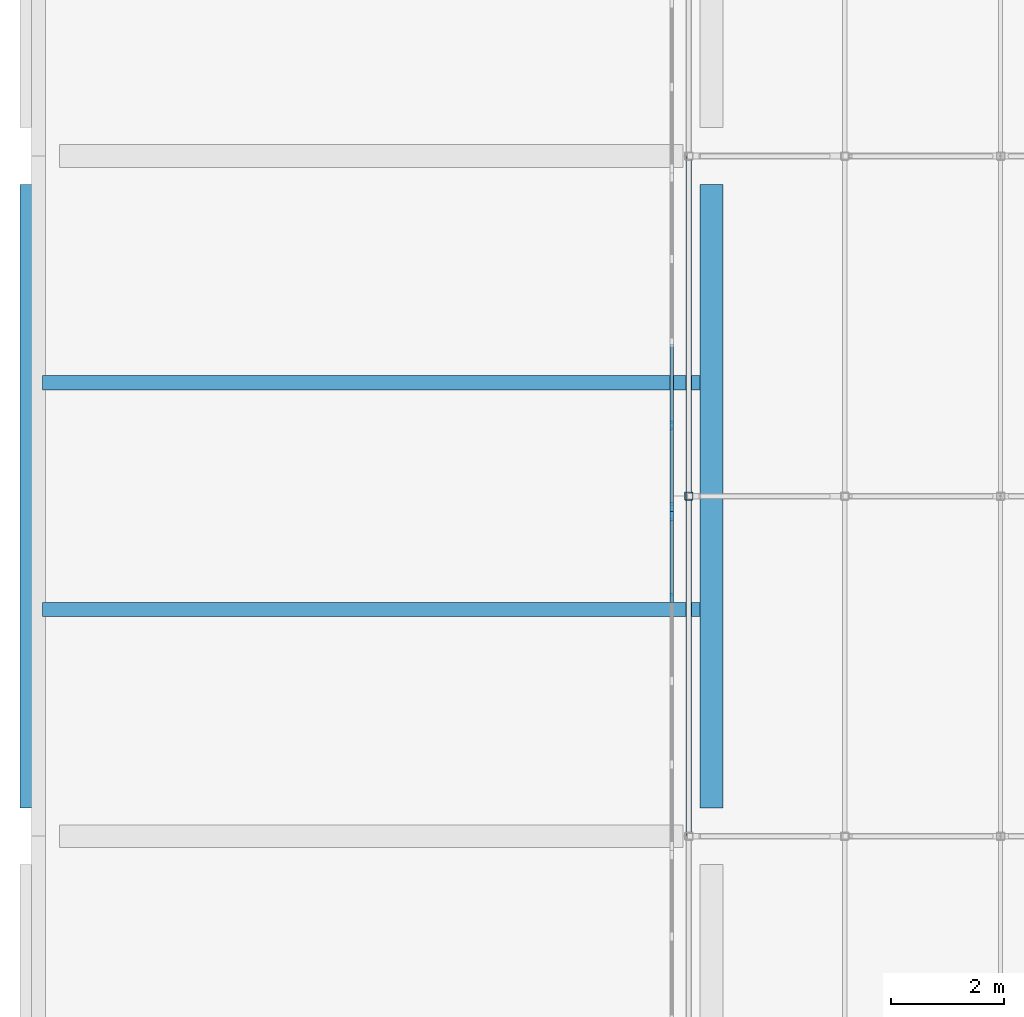
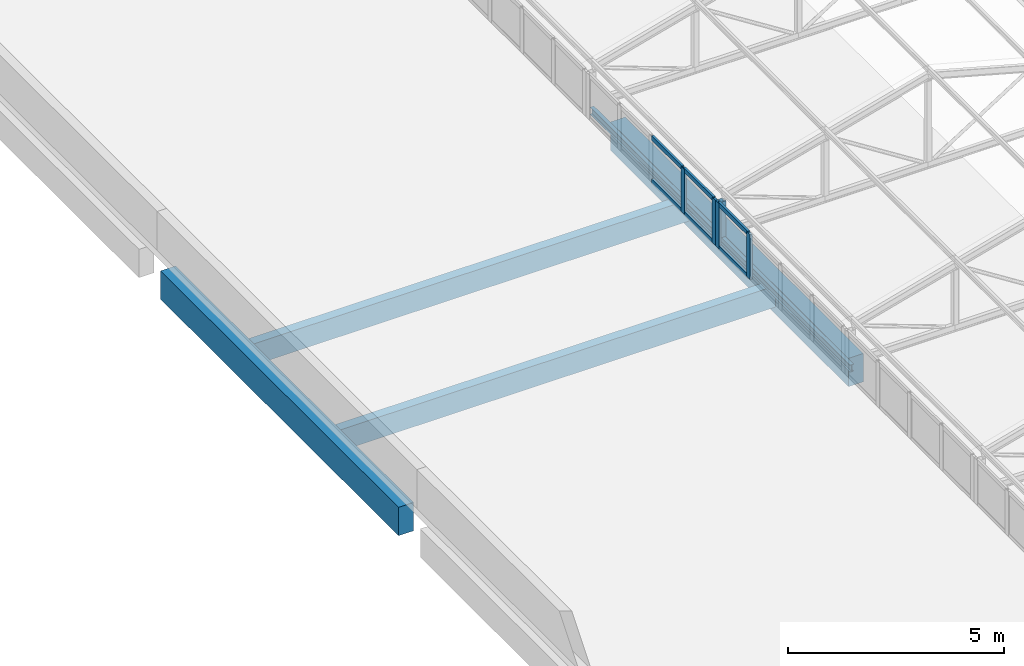
# One storey, part 51 of 94: 11 members, 5 beams, 2 elements without a shape of their own.
"""IFC4 building model written with IfcOpenShell, lengths in metres."""

from ifc_helpers import new_model, si_unit, direction, frame, origin, origin_2d, place, context, subcontext, project, spatial, rectangle, hollow_rectangle, i_section, extrude, material, layer, layer_set, material_profile, profile_set, type_object, element, aggregate, save


model = new_model("IFC4")

# Units and contexts
model_context = context("Model", 3, precision=1e-05, world=origin(), true_north=direction((0.0, 1.0)))
body_context = subcontext(model_context, "Body", "Model", "MODEL_VIEW")
ifc_project = project(units=[si_unit("LENGTHUNIT", "METRE"), si_unit("AREAUNIT", "SQUARE_METRE"), si_unit("VOLUMEUNIT", "CUBIC_METRE"), si_unit("PLANEANGLEUNIT", "RADIAN"), si_unit("MASSUNIT", "GRAM", prefix="KILO")], contexts=[model_context])

# Site, building, storey
site_placement = place(None, origin())
site = spatial("IfcSite", under=ifc_project, at=site_placement, CompositionType="ELEMENT")
building_placement = place(site_placement, origin())
building = spatial("IfcBuilding", under=site, at=building_placement, Name="Lilac Gate Convention Centre", CompositionType="ELEMENT")
storey_placement = place(building_placement, frame((0.0, 0.0, 21.0)))
storey = spatial("IfcBuildingStorey", under=building, at=storey_placement, Name="L04", CompositionType="ELEMENT", Elevation=21.0)

# Curtain wall, members
ifc_material_1 = material(Name="Aluminium framed double glazing", Category="aluminium")
ifc_layer = layer(ifc_material_1, 0.199951171875)
ifc_layer_set = layer_set([ifc_layer], Name="Aluminium framed double glazing")
curtain_wall_type = type_object("IfcCurtainWallType", Name="Unitised curtain wall 1500", PredefinedType="NOTDEFINED", material=ifc_layer_set)
curtain_wall_1_placement = place(storey_placement, origin())
curtain_wall_1 = element("IfcCurtainWall", 1, at=curtain_wall_1_placement, inside=storey, type_object=curtain_wall_type, Name="Lantern clerestory W 27", PredefinedType="NOTDEFINED")
ifc_material_2 = material(Name="Aluminium alloy 6063", Category="aluminium")
ifc_material_profile_1 = material_profile(ifc_material_2, rectangle(XDim=0.06005859375, YDim=0.159912109375, at=origin_2d()), Name="Curtain wall mullion 60 x 160")
ifc_profile_set_1 = profile_set([ifc_material_profile_1], Name="Aluminium alloy 6063")
member_type_1 = type_object("IfcMemberType", Name="Curtain wall mullion 60 x 160", PredefinedType="MULLION", material=ifc_profile_set_1)
member_1_placement = place(storey_placement, frame((17.300048828125, 190.206298828125, 0.0), z_axis=(0.0, 0.0, 1.0), x_axis=(-1.0, 0.0, 0.0)))
member_1 = element("IfcMember", 2, at=member_1_placement, type_object=member_type_1, Name="CW mullion 4", PredefinedType="MULLION", context=body_context, shape_type="SweptSolid", body=[
    extrude(rectangle(XDim=0.06005859375, YDim=0.159912109375, at=origin_2d()), origin(), (0.0, 0.0, 1.0), 1.272216796875),
])
member_2_placement = place(storey_placement, frame((17.300048828125, 191.64501953125, 0.0), z_axis=(0.0, 0.0, 1.0), x_axis=(-1.0, 0.0, 0.0)))
member_2 = element("IfcMember", 3, at=member_2_placement, type_object=member_type_1, Name="CW mullion 5", PredefinedType="MULLION", context=body_context, shape_type="SweptSolid", body=[
    extrude(rectangle(XDim=0.06005859375, YDim=0.159912109375, at=origin_2d()), origin(), (0.0, 0.0, 1.0), 1.272216796875),
])

curtain_wall_2_placement = place(storey_placement, origin())
curtain_wall_2 = element("IfcCurtainWall", 4, at=curtain_wall_2_placement, inside=storey, type_object=curtain_wall_type, Name="Lantern clerestory W 28", PredefinedType="NOTDEFINED")
member_3_placement = place(storey_placement, frame((17.300048828125, 191.804931640625, 0.0), z_axis=(0.0, 0.0, 1.0), x_axis=(-1.0, 0.0, 0.0)))
member_3 = element("IfcMember", 5, at=member_3_placement, type_object=member_type_1, Name="CW mullion 1", PredefinedType="MULLION", context=body_context, shape_type="SweptSolid", body=[
    extrude(rectangle(XDim=0.06005859375, YDim=0.159912109375, at=origin_2d()), origin(), (0.0, 0.0, 1.0), 1.272216796875),
])
member_4_placement = place(storey_placement, frame((17.300048828125, 193.24365234375, 0.0), z_axis=(0.0, 0.0, 1.0), x_axis=(-1.0, 0.0, 0.0)))
member_4 = element("IfcMember", 6, at=member_4_placement, type_object=member_type_1, Name="CW mullion 2", PredefinedType="MULLION", context=body_context, shape_type="SweptSolid", body=[
    extrude(rectangle(XDim=0.06005859375, YDim=0.159912109375, at=origin_2d()), origin(), (0.0, 0.0, 1.0), 1.272216796875),
])

# Member
ifc_material_profile_2 = material_profile(ifc_material_2, rectangle(XDim=0.06005859375, YDim=0.1201171875, at=origin_2d()), Name="Curtain wall transom 60 x 120")
ifc_profile_set_2 = profile_set([ifc_material_profile_2], Name="Aluminium alloy 6063")
member_type_2 = type_object("IfcMemberType", Name="Curtain wall transom 60 x 120", PredefinedType="USERDEFINED", material=ifc_profile_set_2)
member_5_placement = place(storey_placement, frame((17.300048828125, 190.236328125, 0.030029296875), z_axis=(0.0, 1.0, 0.0), x_axis=(-1.0, 0.0, 0.0)))
member_5 = element("IfcMember", 7, at=member_5_placement, type_object=member_type_2, Name="CW transom 4.1", ObjectType="TRANSOM", PredefinedType="USERDEFINED", context=body_context, shape_type="SweptSolid", body=[
    extrude(rectangle(XDim=0.06005859375, YDim=0.1201171875, at=origin_2d()), origin(), (0.0, 0.0, 1.0), 1.378662109375),
])

member_6_placement = place(storey_placement, frame((17.300048828125, 190.236328125, 1.2421875), z_axis=(0.0, 1.0, 0.0), x_axis=(-1.0, 0.0, 0.0)))
member_6 = element("IfcMember", 8, at=member_6_placement, type_object=member_type_2, Name="CW transom 4.2", ObjectType="TRANSOM", PredefinedType="USERDEFINED", context=body_context, shape_type="SweptSolid", body=[
    extrude(rectangle(XDim=0.06005859375, YDim=0.1201171875, at=origin_2d()), origin(), (0.0, 0.0, 1.0), 1.378662109375),
])

aggregate(curtain_wall_1, [member_1, member_2, member_5, member_6])

member_7_placement = place(storey_placement, frame((17.300048828125, 191.8349609375, 0.030029296875), z_axis=(0.0, 1.0, 0.0), x_axis=(-1.0, 0.0, 0.0)))
member_7 = element("IfcMember", 9, at=member_7_placement, type_object=member_type_2, Name="CW transom 1.1", ObjectType="TRANSOM", PredefinedType="USERDEFINED", context=body_context, shape_type="SweptSolid", body=[
    extrude(rectangle(XDim=0.06005859375, YDim=0.1201171875, at=origin_2d()), origin(), (0.0, 0.0, 1.0), 1.378662109375),
])

member_8_placement = place(storey_placement, frame((17.300048828125, 191.8349609375, 1.2421875), z_axis=(0.0, 1.0, 0.0), x_axis=(-1.0, 0.0, 0.0)))
member_8 = element("IfcMember", 10, at=member_8_placement, type_object=member_type_2, Name="CW transom 1.2", ObjectType="TRANSOM", PredefinedType="USERDEFINED", context=body_context, shape_type="SweptSolid", body=[
    extrude(rectangle(XDim=0.06005859375, YDim=0.1201171875, at=origin_2d()), origin(), (0.0, 0.0, 1.0), 1.378662109375),
])

member_9_placement = place(storey_placement, frame((17.300048828125, 193.273681640625, 0.030029296875), z_axis=(0.0, 1.0, 0.0), x_axis=(-1.0, 0.0, 0.0)))
member_9 = element("IfcMember", 11, at=member_9_placement, type_object=member_type_2, Name="CW transom 2.1", ObjectType="TRANSOM", PredefinedType="USERDEFINED", context=body_context, shape_type="SweptSolid", body=[
    extrude(rectangle(XDim=0.06005859375, YDim=0.1201171875, at=origin_2d()), origin(), (0.0, 0.0, 1.0), 1.40869140625),
])

member_10_placement = place(storey_placement, frame((17.300048828125, 193.273681640625, 1.2421875), z_axis=(0.0, 1.0, 0.0), x_axis=(-1.0, 0.0, 0.0)))
member_10 = element("IfcMember", 12, at=member_10_placement, type_object=member_type_2, Name="CW transom 2.2", ObjectType="TRANSOM", PredefinedType="USERDEFINED", context=body_context, shape_type="SweptSolid", body=[
    extrude(rectangle(XDim=0.06005859375, YDim=0.1201171875, at=origin_2d()), origin(), (0.0, 0.0, 1.0), 1.40869140625),
])

aggregate(curtain_wall_2, [member_3, member_4, member_7, member_8, member_9, member_10])

ifc_material_3 = material(Name="Steel Q355B", Category="steel")
ifc_material_profile_3 = material_profile(ifc_material_3, hollow_rectangle(XDim=0.139892578125, YDim=0.139892578125, WallThickness=0.0048828125, InnerFilletRadius=0.0048828125, OuterFilletRadius=0.010009765625, at=origin_2d()), Name="SHS140x140x5")
ifc_profile_set_3 = profile_set([ifc_material_profile_3], Name="Steel Q355B")
member_type_3 = type_object("IfcMemberType", Name="Lantern post SHS140x140x5", PredefinedType="STRUT", material=ifc_profile_set_3)
member_11_placement = place(storey_placement, frame((17.60009765625, 192.0, 0.0), z_axis=(0.0, 0.0, 1.0), x_axis=(1.0, 0.0, 0.0)))
element("IfcMember", 13, at=member_11_placement, inside=storey, type_object=member_type_3, Name="LV1 lantern truss 28 post 1", PredefinedType="STRUT", context=body_context, shape_type="SweptSolid", body=[
    extrude(hollow_rectangle(XDim=0.139892578125, YDim=0.139892578125, WallThickness=0.0048828125, InnerFilletRadius=0.0048828125, OuterFilletRadius=0.010009765625, at=origin_2d()), origin(), (0.0, 0.0, 1.0), 1.001953125),
])

# Beams
ifc_material_profile_4 = material_profile(ifc_material_3, i_section(OverallWidth=0.10009765625, OverallDepth=0.199951171875, WebThickness=0.005615234375, FlangeThickness=0.008056640625, FilletRadius=0.008056640625, at=origin_2d()), Name="HN200x100x5.5x8")
ifc_profile_set_4 = profile_set([ifc_material_profile_4], Name="Steel Q355B")
beam_type_1 = type_object("IfcBeamType", Name="Steel edge beam HN200x100x5.5x8", PredefinedType="BEAM", material=ifc_profile_set_4)
beam_placement = place(storey_placement, frame((17.60009765625, 186.0, -0.10009765625), z_axis=(0.0, 1.0, 0.0), x_axis=(-1.0, 0.0, 0.0)))
element("IfcBeam", 14, at=beam_placement, inside=storey, type_object=beam_type_1, Name="LE2 lantern west edge beam 14", PredefinedType="BEAM", context=body_context, shape_type="SweptSolid", body=[
    extrude(i_section(OverallWidth=0.10009765625, OverallDepth=0.199951171875, WebThickness=0.005615234375, FlangeThickness=0.008056640625, FilletRadius=0.008056640625, at=origin_2d()), origin(), (0.0, 0.0, 1.0), 12.0),
])
ifc_material_4 = material(Name="Concrete C40", Category="concrete")
ifc_material_profile_5 = material_profile(ifc_material_4, rectangle(XDim=0.39990234375, YDim=0.800048828125, at=origin_2d()), Name="RC 400x800")
ifc_profile_set_5 = profile_set([ifc_material_profile_5], Name="Concrete C40")
beam_type_2 = type_object("IfcBeamType", Name="Tower primary beam 400x800 C40", PredefinedType="BEAM", material=ifc_profile_set_5)
for number, where, z_axis, x_axis, name in (
    (15, (6.0, 186.5, -0.60009765625), (0.0, 1.0, 0.0), (-1.0, 0.0, 0.0), "RB3 L04 1/P-1/Q"),
    (16, (18.0, 186.5, -0.60009765625), (0.0, 1.0, 0.0), (-1.0, 0.0, 0.0), "RB3 L04 2/P-2/Q"),
):
    element("IfcBeam", number, at=place(storey_placement, frame(where, z_axis=z_axis, x_axis=x_axis)), inside=storey, type_object=beam_type_2, Name=name, PredefinedType="BEAM", context=body_context, shape_type="SweptSolid", body=[
        extrude(rectangle(XDim=0.39990234375, YDim=0.800048828125, at=origin_2d()), origin(), (0.0, 0.0, 1.0), 11.0),
    ])
ifc_material_profile_6 = material_profile(ifc_material_4, rectangle(XDim=0.25, YDim=0.60009765625, at=origin_2d()), Name="RC 250x600")
ifc_profile_set_6 = profile_set([ifc_material_profile_6], Name="Concrete C40")
beam_type_3 = type_object("IfcBeamType", Name="Tower secondary beam 250x600 C40", PredefinedType="BEAM", material=ifc_profile_set_6)
for number, where, z_axis, x_axis, name in (
    (17, (6.199951171875, 190.0, -0.5), (1.0, 0.0, 0.0), (0.0, 1.0, 0.0), "RB4 L04 bay 1/P"),
    (18, (6.199951171875, 194.0, -0.5), (1.0, 0.0, 0.0), (0.0, 1.0, 0.0), "RB4 L04 bay 1/P"),
):
    element("IfcBeam", number, at=place(storey_placement, frame(where, z_axis=z_axis, x_axis=x_axis)), inside=storey, type_object=beam_type_3, Name=name, PredefinedType="BEAM", context=body_context, shape_type="SweptSolid", body=[
        extrude(rectangle(XDim=0.25, YDim=0.60009765625, at=origin_2d()), origin(), (0.0, 0.0, 1.0), 11.60009765625),
    ])

save(model, "model.ifc")
